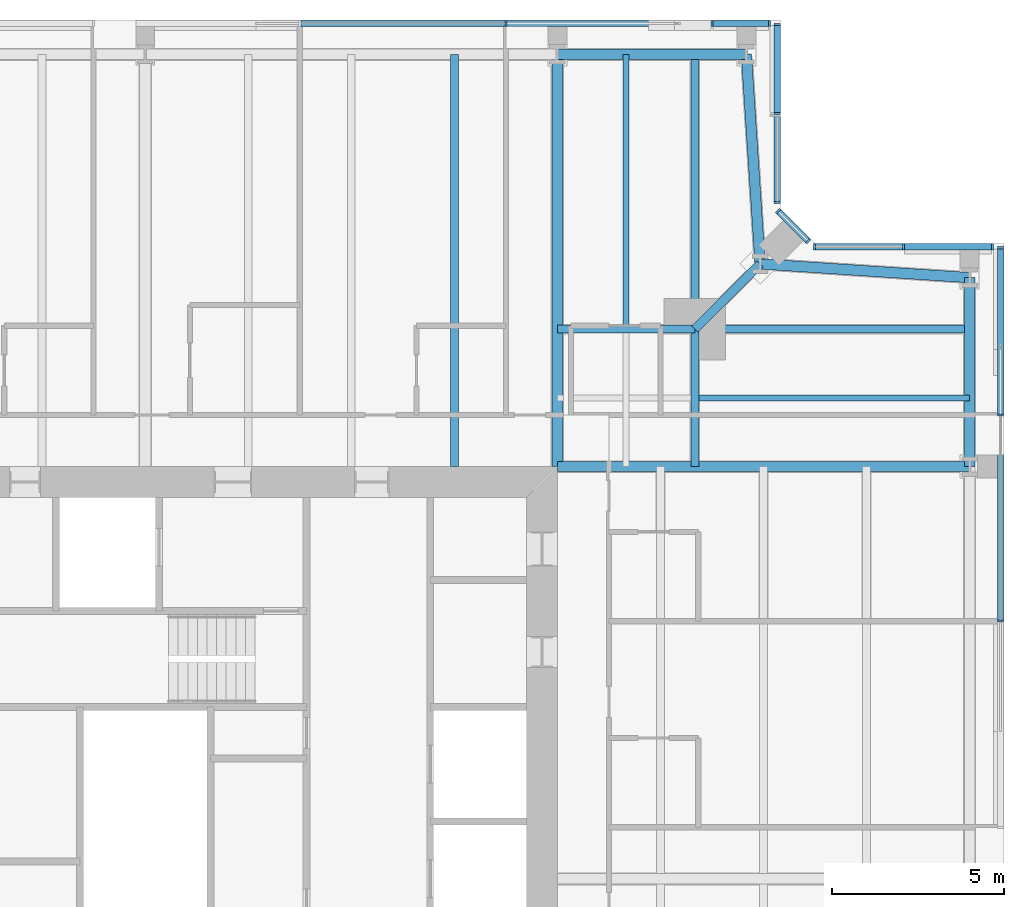
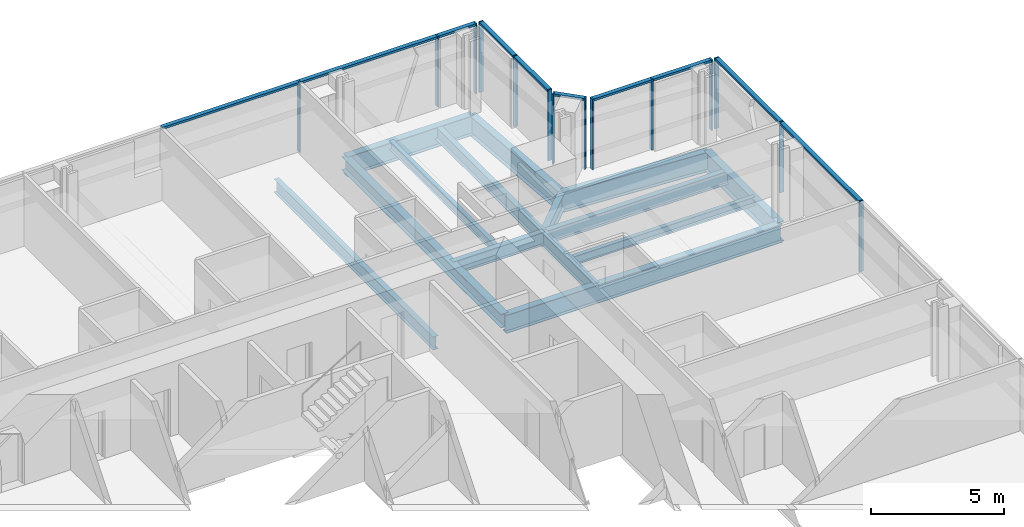
# One storey, part 9 of 20: 24 members, 14 beams, 5 elements without a shape of their own.
"""IFC4 building model written with IfcOpenShell, lengths in metres."""

from ifc_helpers import new_model, si_unit, direction, frame, origin, origin_2d, place, context, subcontext, project, spatial, rectangle, i_section, extrude, material, material_profile, profile_set, type_object, element, aggregate, save


model = new_model("IFC4")

# Units and contexts
model_context = context("Model", 3, precision=1e-05, world=origin(), true_north=direction((0.0, 1.0)))
body_context = subcontext(model_context, "Body", "Model", "MODEL_VIEW")
ifc_project = project(units=[si_unit("LENGTHUNIT", "METRE"), si_unit("AREAUNIT", "SQUARE_METRE"), si_unit("VOLUMEUNIT", "CUBIC_METRE"), si_unit("PLANEANGLEUNIT", "RADIAN"), si_unit("MASSUNIT", "GRAM", prefix="KILO")], contexts=[model_context])

# Site, building, storey
site_placement = place(None, origin())
site = spatial("IfcSite", under=ifc_project, at=site_placement, CompositionType="ELEMENT")
building_placement = place(site_placement, origin())
building = spatial("IfcBuilding", under=site, at=building_placement, Name="Fenwick Lantern Interchange", CompositionType="ELEMENT")
storey_placement = place(building_placement, frame((0.0, 0.0, 252.60009765625)))
storey = spatial("IfcBuildingStorey", under=building, at=storey_placement, Name="L59", CompositionType="ELEMENT", Elevation=252.60009765625)

# Beams
ifc_material_1 = material(Name="Steel ASTM A992 Grade 50", Category="steel")
ifc_material_profile_1 = material_profile(ifc_material_1, i_section(OverallWidth=0.3046875, OverallDepth=0.911865234375, WebThickness=0.015869140625, FlangeThickness=0.02392578125, at=origin_2d()), Name="W36X150")
ifc_profile_set_1 = profile_set([ifc_material_profile_1], Name="Steel ASTM A992 Grade 50")
beam_type_1 = type_object("IfcBeamType", Name="EDGE BEAM W36X150", PredefinedType="SPANDREL", material=ifc_profile_set_1)
beam_1_placement = place(storey_placement, frame((49.0, 37.0, -0.60595703125), z_axis=(0.0, 1.0, 0.0), x_axis=(-1.0, 0.0, 0.0)))
element("IfcBeam", 1, at=beam_1_placement, inside=storey, type_object=beam_type_1, Name="L59/FR/E/EB4", PredefinedType="SPANDREL", context=body_context, shape_type="SweptSolid", body=[
    extrude(i_section(OverallWidth=0.3046875, OverallDepth=0.911865234375, WebThickness=0.015869140625, FlangeThickness=0.02392578125, at=origin_2d()), origin(), (0.0, 0.0, 1.0), 5.5),
])
for number, where, z_axis, x_axis, name in (
    (2, (49.0, 42.5, -0.60595703125), (-0.997858060337, 0.065416293237, 0.0), (-0.065416293237, -0.997858060337, 0.0), "L59/FR/E/EBR1"),
    (3, (42.89990234375, 42.89990234375, -0.60595703125), (-0.065416293237, 0.997858060337, 0.0), (-0.997858060337, -0.065416293237, 0.0), "L59/FR/E/EBR2"),
):
    element("IfcBeam", number, at=place(storey_placement, frame(where, z_axis=z_axis, x_axis=x_axis)), inside=storey, type_object=beam_type_1, Name=name, PredefinedType="SPANDREL", context=body_context, shape_type="SweptSolid", body=[
        extrude(i_section(OverallWidth=0.3046875, OverallDepth=0.911865234375, WebThickness=0.015869140625, FlangeThickness=0.02392578125, at=origin_2d()), origin(), (0.0, 0.0, 1.0), 6.11328125),
    ])
beam_2_placement = place(storey_placement, frame((42.5, 49.0, -0.60595703125), z_axis=(-1.0, 0.0, 0.0), x_axis=(0.0, -1.0, 0.0)))
element("IfcBeam", 4, at=beam_2_placement, inside=storey, type_object=beam_type_1, Name="L59/FR/N/EB1", PredefinedType="SPANDREL", context=body_context, shape_type="SweptSolid", body=[
    extrude(i_section(OverallWidth=0.3046875, OverallDepth=0.911865234375, WebThickness=0.015869140625, FlangeThickness=0.02392578125, at=origin_2d()), origin(), (0.0, 0.0, 1.0), 5.5),
])
ifc_material_profile_2 = material_profile(ifc_material_1, i_section(OverallWidth=0.22900390625, OverallDepth=0.612060546875, WebThickness=0.011962890625, FlangeThickness=0.01953125, at=origin_2d()), Name="W24X84")
ifc_profile_set_2 = profile_set([ifc_material_profile_2], Name="Steel ASTM A992 Grade 50")
beam_type_2 = type_object("IfcBeamType", Name="FLOOR BEAM W24X84", PredefinedType="BEAM", material=ifc_profile_set_2)
beam_3_placement = place(storey_placement, frame((34.0, 49.0, -0.4560546875), z_axis=(0.0, -1.0, 0.0), x_axis=(1.0, 0.0, 0.0)))
element("IfcBeam", 5, at=beam_3_placement, inside=storey, type_object=beam_type_2, Name="L59/FR/N/R02", PredefinedType="BEAM", context=body_context, shape_type="SweptSolid", body=[
    extrude(i_section(OverallWidth=0.22900390625, OverallDepth=0.612060546875, WebThickness=0.011962890625, FlangeThickness=0.01953125, at=origin_2d()), origin(), (0.0, 0.0, 1.0), 12.0),
])

# Curtain wall, members
ifc_material_2 = material(Name="Aluminium curtain wall frame", Category="aluminium")
curtain_wall_type = type_object("IfcCurtainWallType", Name="HOTEL CURTAIN WALL", PredefinedType="USERDEFINED", material=ifc_material_2)
curtain_wall_1_placement = place(storey_placement, origin())
curtain_wall_1 = element("IfcCurtainWall", 6, at=curtain_wall_1_placement, inside=storey, type_object=curtain_wall_type, Name="Hotel curtain wall 05", ObjectType="HOTEL CURTAIN WALL", PredefinedType="USERDEFINED")
ifc_material_3 = material(Name="Aluminium extrusion", Category="aluminium")
ifc_material_profile_3 = material_profile(ifc_material_3, rectangle(XDim=0.179931640625, YDim=0.06005859375, at=origin_2d()), Name="HOTEL CURTAIN WALL MULLION 60 X 180")
ifc_profile_set_3 = profile_set([ifc_material_profile_3], Name="Aluminium extrusion")
member_type_1 = type_object("IfcMemberType", Name="HOTEL CURTAIN WALL MULLION 60 X 180", PredefinedType="MULLION", material=ifc_profile_set_3)
member_1_placement = place(storey_placement, frame((49.89990234375, 32.5, 0.0), z_axis=(0.0, 0.0, 1.0), x_axis=(-1.0, 0.0, 0.0)))
member_1 = element("IfcMember", 7, at=member_1_placement, type_object=member_type_1, Name="L59/CW/05/M05", PredefinedType="MULLION", context=body_context, shape_type="SweptSolid", body=[
    extrude(rectangle(XDim=0.179931640625, YDim=0.06005859375, at=origin_2d()), origin(), (0.0, 0.0, 1.0), 3.25),
])
member_2_placement = place(storey_placement, frame((49.89990234375, 38.5, 0.0), z_axis=(0.0, 0.0, 1.0), x_axis=(-1.0, 0.0, 0.0)))
member_2 = element("IfcMember", 8, at=member_2_placement, type_object=member_type_1, Name="L59/CW/05/M06", PredefinedType="MULLION", context=body_context, shape_type="SweptSolid", body=[
    extrude(rectangle(XDim=0.179931640625, YDim=0.06005859375, at=origin_2d()), origin(), (0.0, 0.0, 1.0), 3.25),
])
member_3_placement = place(storey_placement, frame((49.89990234375, 43.3701171875, 0.0), z_axis=(0.0, 0.0, 1.0), x_axis=(-1.0, 0.0, 0.0)))
member_3 = element("IfcMember", 9, at=member_3_placement, type_object=member_type_1, Name="L59/CW/05/M07", PredefinedType="MULLION", context=body_context, shape_type="SweptSolid", body=[
    extrude(rectangle(XDim=0.179931640625, YDim=0.06005859375, at=origin_2d()), origin(), (0.0, 0.0, 1.0), 3.25),
])

curtain_wall_2_placement = place(storey_placement, origin())
curtain_wall_2 = element("IfcCurtainWall", 10, at=curtain_wall_2_placement, inside=storey, type_object=curtain_wall_type, Name="Hotel curtain wall 06", ObjectType="HOTEL CURTAIN WALL", PredefinedType="USERDEFINED")
member_4_placement = place(storey_placement, frame((49.669921875, 43.39990234375, 0.0), z_axis=(0.0, 0.0, 1.0), x_axis=(0.0, -1.0, 0.0)))
member_4 = element("IfcMember", 11, at=member_4_placement, type_object=member_type_1, Name="L59/CW/06/M00", PredefinedType="MULLION", context=body_context, shape_type="SweptSolid", body=[
    extrude(rectangle(XDim=0.179931640625, YDim=0.06005859375, at=origin_2d()), origin(), (0.0, 0.0, 1.0), 3.25),
])
member_5_placement = place(storey_placement, frame((47.079345703125, 43.39990234375, 0.0), z_axis=(0.0, 0.0, 1.0), x_axis=(0.0, -1.0, 0.0)))
member_5 = element("IfcMember", 12, at=member_5_placement, type_object=member_type_1, Name="L59/CW/06/M01", PredefinedType="MULLION", context=body_context, shape_type="SweptSolid", body=[
    extrude(rectangle(XDim=0.179931640625, YDim=0.06005859375, at=origin_2d()), origin(), (0.0, 0.0, 1.0), 3.25),
])
member_6_placement = place(storey_placement, frame((44.488525390625, 43.39990234375, 0.0), z_axis=(0.0, 0.0, 1.0), x_axis=(0.0, -1.0, 0.0)))
member_6 = element("IfcMember", 13, at=member_6_placement, type_object=member_type_1, Name="L59/CW/06/M02", PredefinedType="MULLION", context=body_context, shape_type="SweptSolid", body=[
    extrude(rectangle(XDim=0.179931640625, YDim=0.06005859375, at=origin_2d()), origin(), (0.0, 0.0, 1.0), 3.25),
])

curtain_wall_3_placement = place(storey_placement, origin())
curtain_wall_3 = element("IfcCurtainWall", 14, at=curtain_wall_3_placement, inside=storey, type_object=curtain_wall_type, Name="Hotel curtain wall 07", ObjectType="HOTEL CURTAIN WALL", PredefinedType="USERDEFINED")
member_7_placement = place(storey_placement, frame((44.2958984375, 43.562744140625, 0.0), z_axis=(0.0, 0.0, 1.0), x_axis=(-0.707106781187, -0.707106781187, 0.0)))
member_7 = element("IfcMember", 15, at=member_7_placement, type_object=member_type_1, Name="L59/CW/07/M00", PredefinedType="MULLION", context=body_context, shape_type="SweptSolid", body=[
    extrude(rectangle(XDim=0.179931640625, YDim=0.06005859375, at=origin_2d()), origin(), (0.0, 0.0, 1.0), 3.25),
])
member_8_placement = place(storey_placement, frame((43.421142578125, 44.437255859375, 0.0), z_axis=(0.0, 0.0, 1.0), x_axis=(-0.707106781187, -0.707106781187, 0.0)))
member_8 = element("IfcMember", 16, at=member_8_placement, type_object=member_type_1, Name="L59/CW/07/M01", PredefinedType="MULLION", context=body_context, shape_type="SweptSolid", body=[
    extrude(rectangle(XDim=0.179931640625, YDim=0.06005859375, at=origin_2d()), origin(), (0.0, 0.0, 1.0), 3.25),
])

curtain_wall_4_placement = place(storey_placement, origin())
curtain_wall_4 = element("IfcCurtainWall", 17, at=curtain_wall_4_placement, inside=storey, type_object=curtain_wall_type, Name="Hotel curtain wall 08", ObjectType="HOTEL CURTAIN WALL", PredefinedType="USERDEFINED")
member_9_placement = place(storey_placement, frame((43.39990234375, 44.6884765625, 0.0), z_axis=(0.0, 0.0, 1.0), x_axis=(-1.0, 0.0, 0.0)))
member_9 = element("IfcMember", 18, at=member_9_placement, type_object=member_type_1, Name="L59/CW/08/M00", PredefinedType="MULLION", context=body_context, shape_type="SweptSolid", body=[
    extrude(rectangle(XDim=0.179931640625, YDim=0.06005859375, at=origin_2d()), origin(), (0.0, 0.0, 1.0), 3.25),
])
member_10_placement = place(storey_placement, frame((43.39990234375, 47.279296875, 0.0), z_axis=(0.0, 0.0, 1.0), x_axis=(-1.0, 0.0, 0.0)))
member_10 = element("IfcMember", 19, at=member_10_placement, type_object=member_type_1, Name="L59/CW/08/M01", PredefinedType="MULLION", context=body_context, shape_type="SweptSolid", body=[
    extrude(rectangle(XDim=0.179931640625, YDim=0.06005859375, at=origin_2d()), origin(), (0.0, 0.0, 1.0), 3.25),
])
member_11_placement = place(storey_placement, frame((43.39990234375, 49.8701171875, 0.0), z_axis=(0.0, 0.0, 1.0), x_axis=(-1.0, 0.0, 0.0)))
member_11 = element("IfcMember", 20, at=member_11_placement, type_object=member_type_1, Name="L59/CW/08/M02", PredefinedType="MULLION", context=body_context, shape_type="SweptSolid", body=[
    extrude(rectangle(XDim=0.179931640625, YDim=0.06005859375, at=origin_2d()), origin(), (0.0, 0.0, 1.0), 3.25),
])

curtain_wall_5_placement = place(storey_placement, origin())
curtain_wall_5 = element("IfcCurtainWall", 21, at=curtain_wall_5_placement, inside=storey, type_object=curtain_wall_type, Name="Hotel curtain wall 09", ObjectType="HOTEL CURTAIN WALL", PredefinedType="USERDEFINED")
member_12_placement = place(storey_placement, frame((43.169921875, 49.89990234375, 0.0), z_axis=(0.0, 0.0, 1.0), x_axis=(0.0, -1.0, 0.0)))
member_12 = element("IfcMember", 22, at=member_12_placement, type_object=member_type_1, Name="L59/CW/09/M00", PredefinedType="MULLION", context=body_context, shape_type="SweptSolid", body=[
    extrude(rectangle(XDim=0.179931640625, YDim=0.06005859375, at=origin_2d()), origin(), (0.0, 0.0, 1.0), 3.25),
])
member_13_placement = place(storey_placement, frame((41.5, 49.89990234375, 0.0), z_axis=(0.0, 0.0, 1.0), x_axis=(0.0, -1.0, 0.0)))
member_13 = element("IfcMember", 23, at=member_13_placement, type_object=member_type_1, Name="L59/CW/09/M01", PredefinedType="MULLION", context=body_context, shape_type="SweptSolid", body=[
    extrude(rectangle(XDim=0.179931640625, YDim=0.06005859375, at=origin_2d()), origin(), (0.0, 0.0, 1.0), 3.25),
])
member_14_placement = place(storey_placement, frame((35.5, 49.89990234375, 0.0), z_axis=(0.0, 0.0, 1.0), x_axis=(0.0, -1.0, 0.0)))
member_14 = element("IfcMember", 24, at=member_14_placement, type_object=member_type_1, Name="L59/CW/09/M02", PredefinedType="MULLION", context=body_context, shape_type="SweptSolid", body=[
    extrude(rectangle(XDim=0.179931640625, YDim=0.06005859375, at=origin_2d()), origin(), (0.0, 0.0, 1.0), 3.25),
])

# Member
ifc_material_profile_4 = material_profile(ifc_material_3, rectangle(XDim=0.179931640625, YDim=0.10009765625, at=origin_2d()), Name="HOTEL CURTAIN WALL TRANSOM 100 X 180")
ifc_profile_set_4 = profile_set([ifc_material_profile_4], Name="Aluminium extrusion")
member_type_2 = type_object("IfcMemberType", Name="HOTEL CURTAIN WALL TRANSOM 100 X 180", PredefinedType="MULLION", material=ifc_profile_set_4)
member_15_placement = place(storey_placement, frame((49.89990234375, 32.530029296875, 3.199951171875), z_axis=(0.0, 1.0, 0.0), x_axis=(-1.0, 0.0, 0.0)))
member_15 = element("IfcMember", 25, at=member_15_placement, type_object=member_type_2, Name="L59/CW/05/T05", PredefinedType="MULLION", context=body_context, shape_type="SweptSolid", body=[
    extrude(rectangle(XDim=0.179931640625, YDim=0.10009765625, at=origin_2d()), origin(), (0.0, 0.0, 1.0), 5.93994140625),
])

member_16_placement = place(storey_placement, frame((49.89990234375, 38.530029296875, 3.199951171875), z_axis=(0.0, 1.0, 0.0), x_axis=(-1.0, 0.0, 0.0)))
member_16 = element("IfcMember", 26, at=member_16_placement, type_object=member_type_2, Name="L59/CW/05/T06", PredefinedType="MULLION", context=body_context, shape_type="SweptSolid", body=[
    extrude(rectangle(XDim=0.179931640625, YDim=0.10009765625, at=origin_2d()), origin(), (0.0, 0.0, 1.0), 4.81005859375),
])

aggregate(curtain_wall_1, [member_1, member_2, member_3, member_15, member_16])

member_17_placement = place(storey_placement, frame((49.639892578125, 43.39990234375, 3.199951171875), z_axis=(-1.0, 0.0, 0.0), x_axis=(0.0, -1.0, 0.0)))
member_17 = element("IfcMember", 27, at=member_17_placement, type_object=member_type_2, Name="L59/CW/06/T00", PredefinedType="MULLION", context=body_context, shape_type="SweptSolid", body=[
    extrude(rectangle(XDim=0.179931640625, YDim=0.10009765625, at=origin_2d()), origin(), (0.0, 0.0, 1.0), 2.530517578125),
])

member_18_placement = place(storey_placement, frame((47.04931640625, 43.39990234375, 3.199951171875), z_axis=(-1.0, 0.0, 0.0), x_axis=(0.0, -1.0, 0.0)))
member_18 = element("IfcMember", 28, at=member_18_placement, type_object=member_type_2, Name="L59/CW/06/T01", PredefinedType="MULLION", context=body_context, shape_type="SweptSolid", body=[
    extrude(rectangle(XDim=0.179931640625, YDim=0.10009765625, at=origin_2d()), origin(), (0.0, 0.0, 1.0), 2.53076171875),
])

aggregate(curtain_wall_2, [member_4, member_5, member_6, member_17, member_18])

member_19_placement = place(storey_placement, frame((44.274658203125, 43.583740234375, 3.199951171875), z_axis=(-0.707003077033, 0.707210470133, 0.0), x_axis=(-0.707210470133, -0.707003077033, 0.0)))
member_19 = element("IfcMember", 29, at=member_19_placement, type_object=member_type_2, Name="L59/CW/07/T00", PredefinedType="MULLION", context=body_context, shape_type="SweptSolid", body=[
    extrude(rectangle(XDim=0.179931640625, YDim=0.10009765625, at=origin_2d()), origin(), (0.0, 0.0, 1.0), 1.17724609375),
])

aggregate(curtain_wall_3, [member_7, member_8, member_19])

member_20_placement = place(storey_placement, frame((43.39990234375, 44.718505859375, 3.199951171875), z_axis=(0.0, 1.0, 0.0), x_axis=(-1.0, 0.0, 0.0)))
member_20 = element("IfcMember", 30, at=member_20_placement, type_object=member_type_2, Name="L59/CW/08/T00", PredefinedType="MULLION", context=body_context, shape_type="SweptSolid", body=[
    extrude(rectangle(XDim=0.179931640625, YDim=0.10009765625, at=origin_2d()), origin(), (0.0, 0.0, 1.0), 2.53076171875),
])

member_21_placement = place(storey_placement, frame((43.39990234375, 47.309326171875, 3.199951171875), z_axis=(0.0, 1.0, 0.0), x_axis=(-1.0, 0.0, 0.0)))
member_21 = element("IfcMember", 31, at=member_21_placement, type_object=member_type_2, Name="L59/CW/08/T01", PredefinedType="MULLION", context=body_context, shape_type="SweptSolid", body=[
    extrude(rectangle(XDim=0.179931640625, YDim=0.10009765625, at=origin_2d()), origin(), (0.0, 0.0, 1.0), 2.53076171875),
])

aggregate(curtain_wall_4, [member_9, member_10, member_11, member_20, member_21])

member_22_placement = place(storey_placement, frame((43.139892578125, 49.89990234375, 3.199951171875), z_axis=(-1.0, 0.0, 0.0), x_axis=(0.0, -1.0, 0.0)))
member_22 = element("IfcMember", 32, at=member_22_placement, type_object=member_type_2, Name="L59/CW/09/T00", PredefinedType="MULLION", context=body_context, shape_type="SweptSolid", body=[
    extrude(rectangle(XDim=0.179931640625, YDim=0.10009765625, at=origin_2d()), origin(), (0.0, 0.0, 1.0), 1.60986328125),
])

member_23_placement = place(storey_placement, frame((41.469970703125, 49.89990234375, 3.199951171875), z_axis=(-1.0, 0.0, 0.0), x_axis=(0.0, -1.0, 0.0)))
member_23 = element("IfcMember", 33, at=member_23_placement, type_object=member_type_2, Name="L59/CW/09/T01", PredefinedType="MULLION", context=body_context, shape_type="SweptSolid", body=[
    extrude(rectangle(XDim=0.179931640625, YDim=0.10009765625, at=origin_2d()), origin(), (0.0, 0.0, 1.0), 5.93994140625),
])

member_24_placement = place(storey_placement, frame((35.469970703125, 49.89990234375, 3.199951171875), z_axis=(-1.0, 0.0, 0.0), x_axis=(0.0, -1.0, 0.0)))
member_24 = element("IfcMember", 34, at=member_24_placement, type_object=member_type_2, Name="L59/CW/09/T02", PredefinedType="MULLION", context=body_context, shape_type="SweptSolid", body=[
    extrude(rectangle(XDim=0.179931640625, YDim=0.10009765625, at=origin_2d()), origin(), (0.0, 0.0, 1.0), 5.93994140625),
])

aggregate(curtain_wall_5, [member_12, member_13, member_14, member_22, member_23, member_24])

# Beams
ifc_material_profile_5 = material_profile(ifc_material_1, i_section(OverallWidth=0.177734375, OverallDepth=0.406494140625, WebThickness=0.0078125, FlangeThickness=0.012939453125, at=origin_2d()), Name="W16X40")
ifc_profile_set_5 = profile_set([ifc_material_profile_5], Name="Steel ASTM A992 Grade 50")
beam_type_3 = type_object("IfcBeamType", Name="INFILL BEAM W16X40", PredefinedType="JOIST", material=ifc_profile_set_5)
for number, where, z_axis, x_axis, name in (
    (35, (39.0, 49.0, -0.353271484375), (0.0, -1.0, 0.0), (1.0, 0.0, 0.0), "L59/FR/N/J1"),
    (36, (49.0, 39.0, -0.353271484375), (-1.0, 0.0, 0.0), (0.0, -1.0, 0.0), "L59/FR/N/J3"),
):
    element("IfcBeam", number, at=place(storey_placement, frame(where, z_axis=z_axis, x_axis=x_axis)), inside=storey, type_object=beam_type_3, Name=name, PredefinedType="JOIST", context=body_context, shape_type="SweptSolid", body=[
        extrude(i_section(OverallWidth=0.177734375, OverallDepth=0.406494140625, WebThickness=0.0078125, FlangeThickness=0.012939453125, at=origin_2d()), origin(), (0.0, 0.0, 1.0), 7.885498046875),
    ])
ifc_material_profile_6 = material_profile(ifc_material_1, i_section(OverallWidth=0.22900390625, OverallDepth=0.612060546875, WebThickness=0.011962890625, FlangeThickness=0.01953125, at=origin_2d()), Name="W24X84")
ifc_profile_set_6 = profile_set([ifc_material_profile_6], Name="Steel ASTM A992 Grade 50")
beam_type_4 = type_object("IfcBeamType", Name="MEGA COLUMN BEAM W24X84", PredefinedType="BEAM", material=ifc_profile_set_6)
for number, where, z_axis, x_axis, name in (
    (37, (41.0, 41.0, -0.4560546875), (0.0, 1.0, 0.0), (-1.0, 0.0, 0.0), "L59/FR/N/MB1"),
    (38, (41.0, 41.0, -0.4560546875), (1.0, 0.0, 0.0), (0.0, 1.0, 0.0), "L59/FR/N/MB2"),
):
    element("IfcBeam", number, at=place(storey_placement, frame(where, z_axis=z_axis, x_axis=x_axis)), inside=storey, type_object=beam_type_4, Name=name, PredefinedType="BEAM", context=body_context, shape_type="SweptSolid", body=[
        extrude(i_section(OverallWidth=0.22900390625, OverallDepth=0.612060546875, WebThickness=0.011962890625, FlangeThickness=0.01953125, at=origin_2d()), origin(), (0.0, 0.0, 1.0), 8.0),
    ])
for number, where, z_axis, x_axis, name in (
    (39, (41.0, 41.0, -0.4560546875), (-1.0, 0.0, 0.0), (0.0, -1.0, 0.0), "L59/FR/N/MB3"),
    (40, (41.0, 41.0, -0.4560546875), (0.0, -1.0, 0.0), (1.0, 0.0, 0.0), "L59/FR/N/MB4"),
):
    element("IfcBeam", number, at=place(storey_placement, frame(where, z_axis=z_axis, x_axis=x_axis)), inside=storey, type_object=beam_type_4, Name=name, PredefinedType="BEAM", context=body_context, shape_type="SweptSolid", body=[
        extrude(i_section(OverallWidth=0.22900390625, OverallDepth=0.612060546875, WebThickness=0.011962890625, FlangeThickness=0.01953125, at=origin_2d()), origin(), (0.0, 0.0, 1.0), 4.0),
    ])
ifc_material_profile_7 = material_profile(ifc_material_1, i_section(OverallWidth=0.32763671875, OverallDepth=0.622314453125, WebThickness=0.015380859375, FlangeThickness=0.0244140625, at=origin_2d()), Name="W24X131")
ifc_profile_set_7 = profile_set([ifc_material_profile_7], Name="Steel ASTM A992 Grade 50")
beam_type_5 = type_object("IfcBeamType", Name="MOMENT-CONNECTED GIRDER W24X131", PredefinedType="BEAM", material=ifc_profile_set_7)
beam_4_placement = place(storey_placement, frame((37.0, 49.0, -0.461181640625), z_axis=(0.0, -1.0, 0.0), x_axis=(1.0, 0.0, 0.0)))
element("IfcBeam", 41, at=beam_4_placement, inside=storey, type_object=beam_type_5, Name="L59/FR/N/R01", PredefinedType="BEAM", context=body_context, shape_type="SweptSolid", body=[
    extrude(i_section(OverallWidth=0.32763671875, OverallDepth=0.622314453125, WebThickness=0.015380859375, FlangeThickness=0.0244140625, at=origin_2d()), origin(), (0.0, 0.0, 1.0), 12.0),
])
ifc_material_profile_8 = material_profile(ifc_material_1, i_section(OverallWidth=0.2919921875, OverallDepth=0.845703125, WebThickness=0.015380859375, FlangeThickness=0.0244140625, at=origin_2d()), Name="W33X141")
ifc_profile_set_8 = profile_set([ifc_material_profile_8], Name="Steel ASTM A992 Grade 50")
beam_type_6 = type_object("IfcBeamType", Name="MOMENT-CONNECTED GIRDER W33X141", PredefinedType="BEAM", material=ifc_profile_set_8)
beam_5_placement = place(storey_placement, frame((49.0, 37.0, -0.572998046875), z_axis=(-1.0, 0.0, 0.0), x_axis=(0.0, -1.0, 0.0)))
element("IfcBeam", 42, at=beam_5_placement, inside=storey, type_object=beam_type_6, Name="L59/FR/E/R03", PredefinedType="BEAM", context=body_context, shape_type="SweptSolid", body=[
    extrude(i_section(OverallWidth=0.2919921875, OverallDepth=0.845703125, WebThickness=0.015380859375, FlangeThickness=0.0244140625, at=origin_2d()), origin(), (0.0, 0.0, 1.0), 12.0),
])
ifc_material_profile_9 = material_profile(ifc_material_1, i_section(OverallWidth=0.2666015625, OverallDepth=0.7568359375, WebThickness=0.013916015625, FlangeThickness=0.019287109375, at=origin_2d()), Name="W30X108")
ifc_profile_set_9 = profile_set([ifc_material_profile_9], Name="Steel ASTM A992 Grade 50")
beam_type_7 = type_object("IfcBeamType", Name="NOTCH BEAM W30X108", PredefinedType="BEAM", material=ifc_profile_set_9)
beam_6_placement = place(storey_placement, frame((41.0, 41.0, -0.528564453125), z_axis=(0.707106781187, 0.707106781187, 0.0), x_axis=(-0.707106781187, 0.707106781187, 0.0)))
element("IfcBeam", 43, at=beam_6_placement, inside=storey, type_object=beam_type_7, Name="L59/FR/N/TG", PredefinedType="BEAM", context=body_context, shape_type="SweptSolid", body=[
    extrude(i_section(OverallWidth=0.2666015625, OverallDepth=0.7568359375, WebThickness=0.013916015625, FlangeThickness=0.019287109375, at=origin_2d()), origin(), (0.0, 0.0, 1.0), 2.686767578125),
])

save(model, "model.ifc")
